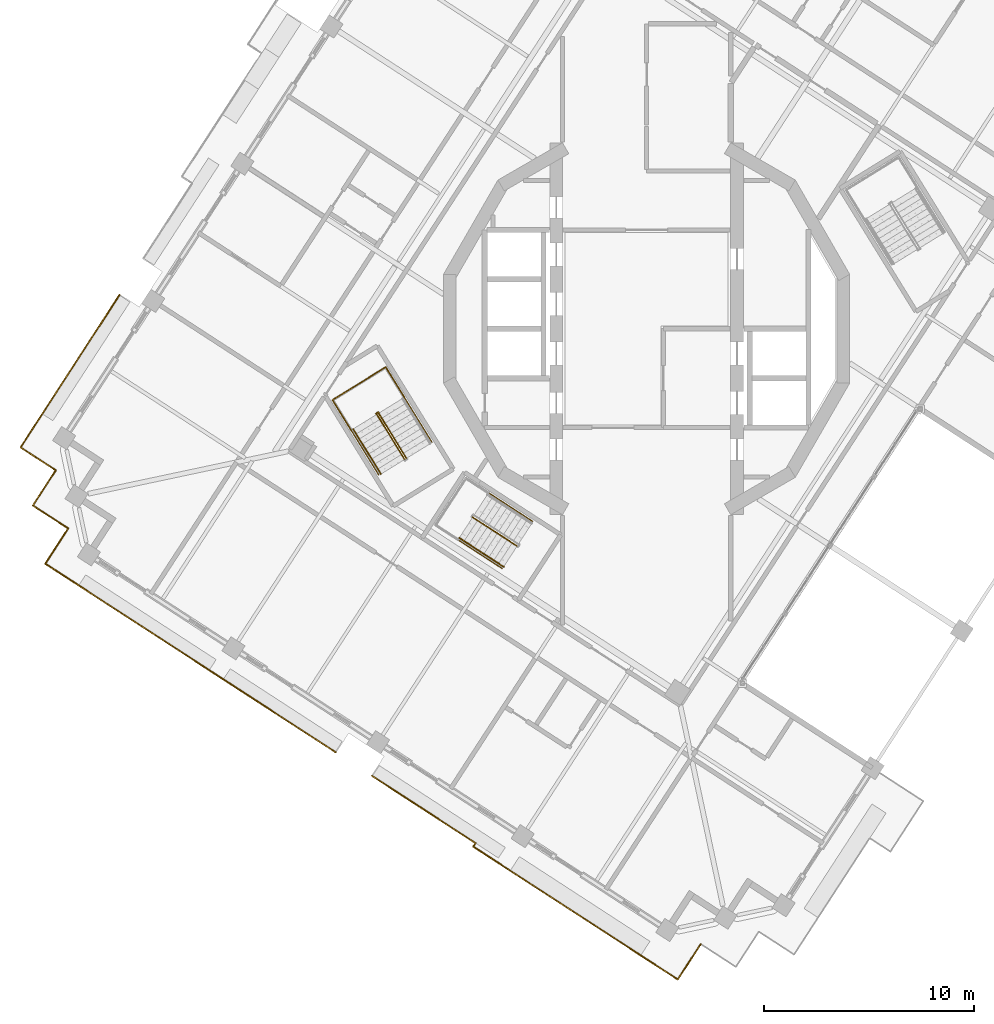
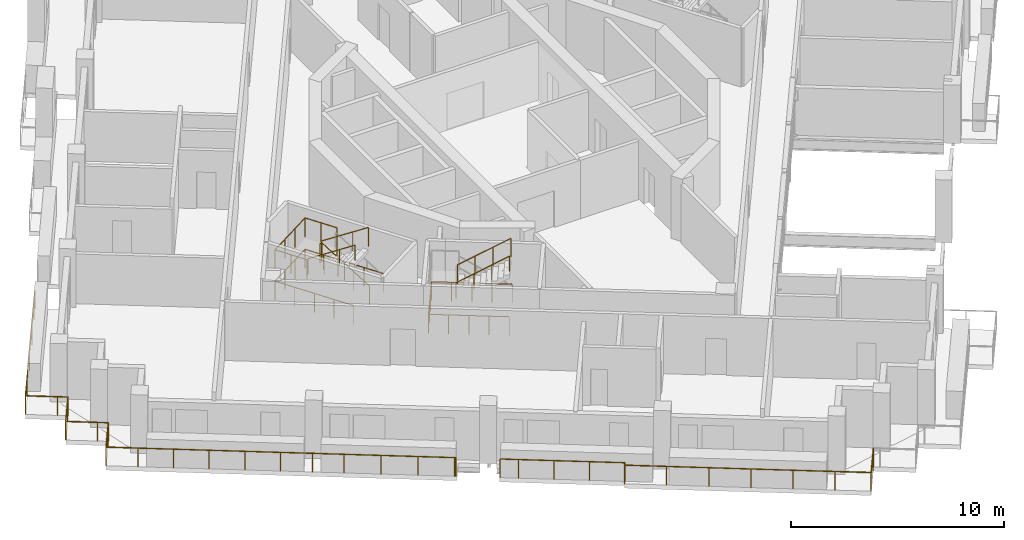
# One storey, part 12 of 17: 11 railings.
"""IFC4 building model written with IfcOpenShell, lengths in metres."""

from ifc_helpers import new_model, si_unit, direction, frame, origin, origin_2d, place, context, subcontext, project, spatial, circle, extrude, material, type_object, element, save


model = new_model("IFC4")

# Units and contexts
model_context = context("Model", 3, precision=1e-05, world=origin(), true_north=direction((0.0, 1.0)))
body_context = subcontext(model_context, "Body", "Model", "MODEL_VIEW")
ifc_project = project(units=[si_unit("LENGTHUNIT", "METRE"), si_unit("AREAUNIT", "SQUARE_METRE"), si_unit("VOLUMEUNIT", "CUBIC_METRE"), si_unit("PLANEANGLEUNIT", "RADIAN"), si_unit("MASSUNIT", "GRAM", prefix="KILO")], contexts=[model_context])

# Site, building, storey
site_placement = place(None, origin())
site = spatial("IfcSite", under=ifc_project, at=site_placement, CompositionType="ELEMENT")
building_placement = place(site_placement, origin())
building = spatial("IfcBuilding", under=site, at=building_placement, Name="Cantera Rosa Tower", CompositionType="ELEMENT")
storey_placement = place(building_placement, frame((0.0, 0.0, 257.699951171875)))
storey = spatial("IfcBuildingStorey", under=building, at=storey_placement, Name="L57", CompositionType="ELEMENT", Elevation=257.699951171875)

# Railings
ifc_material_1 = material(Name="Stainless steel and laminated glass", Category="steel")
railing_type_1 = type_object("IfcRailingType", Name="GUARD 1100", PredefinedType="BALUSTRADE", material=ifc_material_1)
railing_1_placement = place(storey_placement, frame((2.571533203125, -29.273193359375, 0.0)))
element("IfcRailing", 1, at=railing_1_placement, inside=storey, type_object=railing_type_1, Name="GUARD L57-1", PredefinedType="BALUSTRADE", context=body_context, shape_type="SweptSolid", body=[
    extrude(circle(Radius=0.030029296875, at=origin_2d()), frame((0.0, 0.0, 1.070068359375), z_axis=(-0.5443304008, -0.838870916629, 0.0), x_axis=(0.838870916629, -0.5443304008, 0.0)), (0.0, 0.0, 1.0), 0.300048828125),
    extrude(circle(Radius=0.030029296875, at=origin_2d()), frame((-0.163330078125, -0.251708984375, 1.070068359375), z_axis=(-0.544751065329, -0.83859780397, 0.0), x_axis=(0.83859780397, -0.544751065329, 0.0)), (0.0, 0.0, 1.0), 1.699951171875),
    extrude(circle(Radius=0.030029296875, at=origin_2d()), frame((-1.08935546875, -1.67724609375, 1.070068359375), z_axis=(-0.838663412569, 0.54465005317, 0.0), x_axis=(-0.54465005317, -0.838663412569, 0.0)), (0.0, 0.0, 1.0), 1.69970703125),
    extrude(circle(Radius=0.030029296875, at=origin_2d()), frame((-2.514892578125, -0.75146484375, 1.070068359375), z_axis=(-0.83867848478, 0.544626843964, 0.0), x_axis=(-0.544626843964, -0.83867848478, 0.0)), (0.0, 0.0, 1.0), 9.900146484375),
    extrude(circle(Radius=0.030029296875, at=origin_2d()), frame((-10.81787109375, 4.640380859375, 1.070068359375), z_axis=(0.544516215992, 0.838750314767, 0.0), x_axis=(-0.838750314767, 0.544516215992, 0.0)), (0.0, 0.0, 1.0), 0.199951171875),
    extrude(circle(Radius=0.030029296875, at=origin_2d()), frame((-10.708984375, 4.80810546875, 1.070068359375), z_axis=(-0.838653278808, 0.544665657027, 0.0), x_axis=(-0.544665657027, -0.838653278808, 0.0)), (0.0, 0.0, 1.0), 5.0),
    extrude(circle(Radius=0.030029296875, at=origin_2d()), frame((-14.90234375, 7.531494140625, 1.070068359375), z_axis=(-0.838725681888, 0.544554157584, 0.0), x_axis=(-0.544554157584, -0.838725681888, 0.0)), (0.0, 0.0, 1.0), 0.869873046875),
    extrude(circle(Radius=0.02490234375, at=origin_2d()), origin(), (0.0, 0.0, 1.0), 1.0400390625),
    extrude(circle(Radius=0.02490234375, at=origin_2d()), frame((-0.163330078125, -0.251708984375, 0.0)), (0.0, 0.0, 1.0), 1.0400390625),
    extrude(circle(Radius=0.02490234375, at=origin_2d()), frame((-1.08935546875, -1.67724609375, 0.0)), (0.0, 0.0, 1.0), 1.0400390625),
    extrude(circle(Radius=0.02490234375, at=origin_2d()), frame((-2.514892578125, -0.75146484375, 0.0)), (0.0, 0.0, 1.0), 1.0400390625),
    extrude(circle(Radius=0.02490234375, at=origin_2d()), frame((-4.175537109375, 0.326904296875, 0.0)), (0.0, 0.0, 1.0), 1.0400390625),
    extrude(circle(Radius=0.02490234375, at=origin_2d()), frame((-5.836181640625, 1.4052734375, 0.0)), (0.0, 0.0, 1.0), 1.0400390625),
    extrude(circle(Radius=0.02490234375, at=origin_2d()), frame((-7.49658203125, 2.483642578125, 0.0)), (0.0, 0.0, 1.0), 1.0400390625),
    extrude(circle(Radius=0.02490234375, at=origin_2d()), frame((-9.1572265625, 3.56201171875, 0.0)), (0.0, 0.0, 1.0), 1.0400390625),
    extrude(circle(Radius=0.02490234375, at=origin_2d()), frame((-10.81787109375, 4.640380859375, 0.0)), (0.0, 0.0, 1.0), 1.0400390625),
    extrude(circle(Radius=0.02490234375, at=origin_2d()), frame((-10.708984375, 4.80810546875, 0.0)), (0.0, 0.0, 1.0), 1.0400390625),
    extrude(circle(Radius=0.02490234375, at=origin_2d()), frame((-12.106689453125, 5.7158203125, 0.0)), (0.0, 0.0, 1.0), 1.0400390625),
    extrude(circle(Radius=0.02490234375, at=origin_2d()), frame((-13.504638671875, 6.623779296875, 0.0)), (0.0, 0.0, 1.0), 1.0400390625),
    extrude(circle(Radius=0.02490234375, at=origin_2d()), frame((-14.90234375, 7.531494140625, 0.0)), (0.0, 0.0, 1.0), 1.0400390625),
    extrude(circle(Radius=0.02490234375, at=origin_2d()), frame((-15.6318359375, 8.005126953125, 0.0)), (0.0, 0.0, 1.0), 1.0400390625),
])
railing_2_placement = place(storey_placement, frame((-28.3720703125, -7.151123046875, 0.0)))
element("IfcRailing", 2, at=railing_2_placement, inside=storey, type_object=railing_type_1, Name="GUARD L57-3", PredefinedType="BALUSTRADE", context=body_context, shape_type="SweptSolid", body=[
    extrude(circle(Radius=0.030029296875, at=origin_2d()), frame((0.0, 0.0, 1.070068359375), z_axis=(0.544627753175, 0.83867789435, 0.0), x_axis=(-0.83867789435, 0.544627753175, 0.0)), (0.0, 0.0, 1.0), 0.499755859375),
    extrude(circle(Radius=0.030029296875, at=origin_2d()), frame((0.272216796875, 0.419189453125, 1.070068359375), z_axis=(-0.838454772945, 0.544971186143, 0.0), x_axis=(-0.544971186143, -0.838454772945, 0.0)), (0.0, 0.0, 1.0), 0.5),
    extrude(circle(Radius=0.030029296875, at=origin_2d()), frame((-0.14697265625, 0.691650390625, 1.070068359375), z_axis=(-0.8387001057, 0.544593548161, 0.0), x_axis=(-0.544593548161, -0.8387001057, 0.0)), (0.0, 0.0, 1.0), 1.5),
    extrude(circle(Radius=0.030029296875, at=origin_2d()), frame((-1.405029296875, 1.508544921875, 1.070068359375), z_axis=(0.544593548161, 0.8387001057, 0.0), x_axis=(-0.8387001057, 0.544593548161, 0.0)), (0.0, 0.0, 1.0), 1.5),
    extrude(circle(Radius=0.030029296875, at=origin_2d()), frame((-0.588134765625, 2.7666015625, 1.070068359375), z_axis=(0.544645228423, 0.838666545867, 0.0), x_axis=(-0.838666545867, 0.544645228423, 0.0)), (0.0, 0.0, 1.0), 6.2783203125),
    extrude(circle(Radius=0.030029296875, at=origin_2d()), frame((2.831298828125, 8.031982421875, 1.070068359375), z_axis=(-0.832050294338, 0.554700196225, 0.0), x_axis=(-0.554700196225, -0.832050294338, 0.0)), (0.0, 0.0, 1.0), 0.001708984375),
    extrude(circle(Radius=0.030029296875, at=origin_2d()), frame((2.829833984375, 8.032958984375, 1.070068359375), z_axis=(0.544643812911, 0.838667465124, 0.0), x_axis=(-0.838667465124, 0.544643812911, 0.0)), (0.0, 0.0, 1.0), 0.871826171875),
    extrude(circle(Radius=0.02490234375, at=origin_2d()), origin(), (0.0, 0.0, 1.0), 1.0400390625),
    extrude(circle(Radius=0.02490234375, at=origin_2d()), frame((0.272216796875, 0.419189453125, 0.0)), (0.0, 0.0, 1.0), 1.0400390625),
    extrude(circle(Radius=0.02490234375, at=origin_2d()), frame((-0.14697265625, 0.691650390625, 0.0)), (0.0, 0.0, 1.0), 1.0400390625),
    extrude(circle(Radius=0.02490234375, at=origin_2d()), frame((-1.405029296875, 1.508544921875, 0.0)), (0.0, 0.0, 1.0), 1.0400390625),
    extrude(circle(Radius=0.02490234375, at=origin_2d()), frame((-0.588134765625, 2.7666015625, 0.0)), (0.0, 0.0, 1.0), 1.0400390625),
    extrude(circle(Radius=0.02490234375, at=origin_2d()), frame((0.5517578125, 4.521728515625, 0.0)), (0.0, 0.0, 1.0), 1.0400390625),
    extrude(circle(Radius=0.02490234375, at=origin_2d()), frame((1.69140625, 6.27685546875, 0.0)), (0.0, 0.0, 1.0), 1.0400390625),
    extrude(circle(Radius=0.02490234375, at=origin_2d()), frame((2.831298828125, 8.031982421875, 0.0)), (0.0, 0.0, 1.0), 1.0400390625),
    extrude(circle(Radius=0.02490234375, at=origin_2d()), frame((2.829833984375, 8.032958984375, 0.0)), (0.0, 0.0, 1.0), 1.0400390625),
    extrude(circle(Radius=0.02490234375, at=origin_2d()), frame((3.3046875, 8.76416015625, 0.0)), (0.0, 0.0, 1.0), 1.0400390625),
])
railing_3_placement = place(storey_placement, frame((-14.7880859375, -20.14599609375, 0.0)))
element("IfcRailing", 3, at=railing_3_placement, inside=storey, type_object=railing_type_1, Name="GUARD L57-4", PredefinedType="BALUSTRADE", context=body_context, shape_type="SweptSolid", body=[
    extrude(circle(Radius=0.030029296875, at=origin_2d()), frame((0.0, 0.0, 1.070068359375), z_axis=(-0.838443616301, 0.544988350595, 0.0), x_axis=(-0.544988350595, -0.838443616301, 0.0)), (0.0, 0.0, 1.0), 0.06982421875),
    extrude(circle(Radius=0.030029296875, at=origin_2d()), frame((-0.05859375, 0.0380859375, 1.070068359375), z_axis=(-0.838657010828, 0.544659910576, 0.0), x_axis=(-0.544659910576, -0.838657010828, 0.0)), (0.0, 0.0, 1.0), 5.2001953125),
    extrude(circle(Radius=0.030029296875, at=origin_2d()), frame((-4.419677734375, 2.870361328125, 1.070068359375), z_axis=(-0.8387001057, 0.544593548161, 0.0), x_axis=(-0.544593548161, -0.8387001057, 0.0)), (0.0, 0.0, 1.0), 3.0),
    extrude(circle(Radius=0.030029296875, at=origin_2d()), frame((-6.935791015625, 4.504150390625, 1.070068359375), z_axis=(-0.838666659313, 0.544645053734, 0.0), x_axis=(-0.544645053734, -0.838666659313, 0.0)), (0.0, 0.0, 1.0), 6.7001953125),
    extrude(circle(Radius=0.030029296875, at=origin_2d()), frame((-12.554931640625, 8.1533203125, 1.070068359375), z_axis=(-0.838651824232, 0.544667896716, 0.0), x_axis=(-0.544667896716, -0.838651824232, 0.0)), (0.0, 0.0, 1.0), 1.499755859375),
    extrude(circle(Radius=0.030029296875, at=origin_2d()), frame((-13.812744140625, 8.97021484375, 1.070068359375), z_axis=(0.544593548161, 0.8387001057, 0.0), x_axis=(-0.8387001057, 0.544593548161, 0.0)), (0.0, 0.0, 1.0), 1.5),
    extrude(circle(Radius=0.030029296875, at=origin_2d()), frame((-12.995849609375, 10.228271484375, 1.070068359375), z_axis=(0.544627753175, 0.83867789435, 0.0), x_axis=(-0.83867789435, 0.544627753175, 0.0)), (0.0, 0.0, 1.0), 0.499755859375),
    extrude(circle(Radius=0.030029296875, at=origin_2d()), frame((-12.7236328125, 10.6474609375, 1.070068359375), z_axis=(-0.838454772945, 0.544971186143, 0.0), x_axis=(-0.544971186143, -0.838454772945, 0.0)), (0.0, 0.0, 1.0), 0.5),
    extrude(circle(Radius=0.030029296875, at=origin_2d()), frame((-13.142822265625, 10.919921875, 1.070068359375), z_axis=(-0.8387001057, 0.544593548161, 0.0), x_axis=(-0.544593548161, -0.8387001057, 0.0)), (0.0, 0.0, 1.0), 1.5),
    extrude(circle(Radius=0.030029296875, at=origin_2d()), frame((-14.40087890625, 11.73681640625, 1.070068359375), z_axis=(0.544593548161, 0.8387001057, 0.0), x_axis=(-0.8387001057, 0.544593548161, 0.0)), (0.0, 0.0, 1.0), 1.5),
    extrude(circle(Radius=0.02490234375, at=origin_2d()), origin(), (0.0, 0.0, 1.0), 1.0400390625),
    extrude(circle(Radius=0.02490234375, at=origin_2d()), frame((-0.05859375, 0.0380859375, 0.0)), (0.0, 0.0, 1.0), 1.0400390625),
    extrude(circle(Radius=0.02490234375, at=origin_2d()), frame((-1.51220703125, 0.982177734375, 0.0)), (0.0, 0.0, 1.0), 1.0400390625),
    extrude(circle(Radius=0.02490234375, at=origin_2d()), frame((-2.966064453125, 1.92626953125, 0.0)), (0.0, 0.0, 1.0), 1.0400390625),
    extrude(circle(Radius=0.02490234375, at=origin_2d()), frame((-4.419677734375, 2.870361328125, 0.0)), (0.0, 0.0, 1.0), 1.0400390625),
    extrude(circle(Radius=0.02490234375, at=origin_2d()), frame((-5.677734375, 3.687255859375, 0.0)), (0.0, 0.0, 1.0), 1.0400390625),
    extrude(circle(Radius=0.02490234375, at=origin_2d()), frame((-6.935791015625, 4.504150390625, 0.0)), (0.0, 0.0, 1.0), 1.0400390625),
    extrude(circle(Radius=0.02490234375, at=origin_2d()), frame((-8.340576171875, 5.41650390625, 0.0)), (0.0, 0.0, 1.0), 1.0400390625),
    extrude(circle(Radius=0.02490234375, at=origin_2d()), frame((-9.745361328125, 6.32861328125, 0.0)), (0.0, 0.0, 1.0), 1.0400390625),
    extrude(circle(Radius=0.02490234375, at=origin_2d()), frame((-11.150146484375, 7.240966796875, 0.0)), (0.0, 0.0, 1.0), 1.0400390625),
    extrude(circle(Radius=0.02490234375, at=origin_2d()), frame((-12.554931640625, 8.1533203125, 0.0)), (0.0, 0.0, 1.0), 1.0400390625),
    extrude(circle(Radius=0.02490234375, at=origin_2d()), frame((-13.812744140625, 8.97021484375, 0.0)), (0.0, 0.0, 1.0), 1.0400390625),
    extrude(circle(Radius=0.02490234375, at=origin_2d()), frame((-12.995849609375, 10.228271484375, 0.0)), (0.0, 0.0, 1.0), 1.0400390625),
    extrude(circle(Radius=0.02490234375, at=origin_2d()), frame((-12.7236328125, 10.6474609375, 0.0)), (0.0, 0.0, 1.0), 1.0400390625),
    extrude(circle(Radius=0.02490234375, at=origin_2d()), frame((-13.142822265625, 10.919921875, 0.0)), (0.0, 0.0, 1.0), 1.0400390625),
    extrude(circle(Radius=0.02490234375, at=origin_2d()), frame((-14.40087890625, 11.73681640625, 0.0)), (0.0, 0.0, 1.0), 1.0400390625),
    extrude(circle(Radius=0.02490234375, at=origin_2d()), frame((-13.583984375, 12.994873046875, 0.0)), (0.0, 0.0, 1.0), 1.0400390625),
])
ifc_material_2 = material(Name="Steel S355J2 (EN 10025-2)", Category="steel")
railing_type_2 = type_object("IfcRailingType", Name="STAIR GUARD 1100", PredefinedType="GUARDRAIL", material=ifc_material_2)
railing_4_placement = place(storey_placement, frame((-11.42333984375, -6.165771484375, 0.179931640625)))
element("IfcRailing", 4, at=railing_4_placement, inside=storey, type_object=railing_type_2, Name="L57 ST-52 stair guard 1", PredefinedType="GUARDRAIL", context=body_context, shape_type="SweptSolid", body=[
    extrude(circle(Radius=0.02392578125, at=origin_2d()), frame((0.0, 0.0, 1.076171875), z_axis=(-0.441609067481, 0.715913574058, 0.540785711718), x_axis=(-0.851102330005, -0.524999832248, 0.0)), (0.0, 0.0, 1.0), 2.995849609375),
    extrude(circle(Radius=0.02392578125, at=origin_2d()), frame((-1.322998046875, 2.144775390625, 2.6962890625), z_axis=(-0.073711968402, 0.997279572494, 0.0), x_axis=(-0.997279572494, -0.073711968402, 0.0)), (0.0, 0.0, 1.0), 0.056396484375),
    extrude(circle(Radius=0.02392578125, at=origin_2d()), frame((-1.3271484375, 2.200927734375, 2.6962890625), z_axis=(-0.851546489876, -0.524279100842, 0.0), x_axis=(0.524279100842, -0.851546489876, 0.0)), (0.0, 0.0, 1.0), 0.14990234375),
    extrude(circle(Radius=0.02099609375, at=origin_2d()), origin(), (0.0, 0.0, 1.0), 1.052001953125),
    extrude(circle(Radius=0.02099609375, at=origin_2d()), frame((-0.44091796875, 0.71484375, 0.5400390625)), (0.0, 0.0, 1.0), 1.052001953125),
    extrude(circle(Radius=0.02099609375, at=origin_2d()), frame((-0.882080078125, 1.429931640625, 1.080078125)), (0.0, 0.0, 1.0), 1.052001953125),
    extrude(circle(Radius=0.02099609375, at=origin_2d()), frame((-1.322998046875, 2.144775390625, 1.6201171875)), (0.0, 0.0, 1.0), 1.052001953125),
    extrude(circle(Radius=0.02099609375, at=origin_2d()), frame((-1.3271484375, 2.200927734375, 1.6201171875)), (0.0, 0.0, 1.0), 1.052001953125),
    extrude(circle(Radius=0.02099609375, at=origin_2d()), frame((-1.454833984375, 2.122314453125, 1.6201171875)), (0.0, 0.0, 1.0), 1.052001953125),
])
railing_5_placement = place(storey_placement, frame((-12.82958984375, -4.072509765625, 1.97998046875)))
element("IfcRailing", 5, at=railing_5_placement, inside=storey, type_object=railing_type_2, Name="L57 ST-52 stair guard 2", PredefinedType="GUARDRAIL", context=body_context, shape_type="SweptSolid", body=[
    extrude(circle(Radius=0.02392578125, at=origin_2d()), frame((0.0, 0.0, 1.076171875), z_axis=(0.44154346381, -0.715939337315, 0.540805172729), x_axis=(0.851145618652, 0.524929648476, 0.0)), (0.0, 0.0, 1.0), 2.995849609375),
    extrude(circle(Radius=0.02099609375, at=origin_2d()), origin(), (0.0, 0.0, 1.0), 1.052001953125),
    extrude(circle(Radius=0.02099609375, at=origin_2d()), frame((0.44091796875, -0.71484375, 0.5400390625)), (0.0, 0.0, 1.0), 1.052001953125),
    extrude(circle(Radius=0.02099609375, at=origin_2d()), frame((0.8818359375, -1.429931640625, 1.080078125)), (0.0, 0.0, 1.0), 1.052001953125),
    extrude(circle(Radius=0.02099609375, at=origin_2d()), frame((1.32275390625, -2.144775390625, 1.6201171875)), (0.0, 0.0, 1.0), 1.052001953125),
])
railing_6_placement = place(storey_placement, frame((-10.20751953125, -5.40185546875, 0.0)))
element("IfcRailing", 6, at=railing_6_placement, inside=storey, type_object=railing_type_2, Name="L57 ST-52 stair guard 4", PredefinedType="GUARDRAIL", context=body_context, shape_type="SweptSolid", body=[
    extrude(circle(Radius=0.02392578125, at=origin_2d()), frame((0.0, 0.0, 1.076171875), z_axis=(-0.524976478809, 0.851116735059, 0.0), x_axis=(-0.851116735059, -0.524976478809, 0.0)), (0.0, 0.0, 1.0), 4.197998046875),
    extrude(circle(Radius=0.02392578125, at=origin_2d()), frame((-2.203857421875, 3.572998046875, 1.076171875), z_axis=(-0.851132917336, -0.524950242429, 0.0), x_axis=(0.524950242429, -0.851132917336, 0.0)), (0.0, 0.0, 1.0), 2.969970703125),
    extrude(circle(Radius=0.02392578125, at=origin_2d()), frame((-4.731689453125, 2.013916015625, 1.076171875), z_axis=(0.524976478809, -0.851116735059, 0.0), x_axis=(0.851116735059, 0.524976478809, 0.0)), (0.0, 0.0, 1.0), 4.197998046875),
    extrude(circle(Radius=0.02099609375, at=origin_2d()), origin(), (0.0, 0.0, 1.0), 1.052001953125),
    extrude(circle(Radius=0.02099609375, at=origin_2d()), frame((-0.551025390625, 0.893310546875, 0.0)), (0.0, 0.0, 1.0), 1.052001953125),
    extrude(circle(Radius=0.02099609375, at=origin_2d()), frame((-1.10205078125, 1.78662109375, 0.0)), (0.0, 0.0, 1.0), 1.052001953125),
    extrude(circle(Radius=0.02099609375, at=origin_2d()), frame((-1.65283203125, 2.6796875, 0.0)), (0.0, 0.0, 1.0), 1.052001953125),
    extrude(circle(Radius=0.02099609375, at=origin_2d()), frame((-2.203857421875, 3.572998046875, 0.0)), (0.0, 0.0, 1.0), 1.052001953125),
    extrude(circle(Radius=0.02099609375, at=origin_2d()), frame((-3.04638671875, 3.05322265625, 0.0)), (0.0, 0.0, 1.0), 1.052001953125),
    extrude(circle(Radius=0.02099609375, at=origin_2d()), frame((-3.88916015625, 2.53369140625, 0.0)), (0.0, 0.0, 1.0), 1.052001953125),
    extrude(circle(Radius=0.02099609375, at=origin_2d()), frame((-4.731689453125, 2.013916015625, 0.0)), (0.0, 0.0, 1.0), 1.052001953125),
    extrude(circle(Radius=0.02099609375, at=origin_2d()), frame((-4.1806640625, 1.12060546875, 0.0)), (0.0, 0.0, 1.0), 1.052001953125),
    extrude(circle(Radius=0.02099609375, at=origin_2d()), frame((-3.6298828125, 0.2275390625, 0.0)), (0.0, 0.0, 1.0), 1.052001953125),
    extrude(circle(Radius=0.02099609375, at=origin_2d()), frame((-3.078857421875, -0.665771484375, 0.0)), (0.0, 0.0, 1.0), 1.052001953125),
    extrude(circle(Radius=0.02099609375, at=origin_2d()), frame((-2.52783203125, -1.55908203125, 0.0)), (0.0, 0.0, 1.0), 1.052001953125),
])
railing_7_placement = place(storey_placement, frame((-11.517822265625, -3.27734375, 1.800048828125)))
element("IfcRailing", 7, at=railing_7_placement, inside=storey, type_object=railing_type_2, Name="L57 ST-52 stair guard 5", PredefinedType="GUARDRAIL", context=body_context, shape_type="SweptSolid", body=[
    extrude(circle(Radius=0.02392578125, at=origin_2d()), frame((0.0, 0.0, 1.076171875), z_axis=(-0.525025534833, 0.851086474909, 0.0), x_axis=(-0.851086474909, -0.525025534833, 0.0)), (0.0, 0.0, 1.0), 1.701904296875),
    extrude(circle(Radius=0.02392578125, at=origin_2d()), frame((-0.8935546875, 1.448486328125, 1.076171875), z_axis=(-0.851132917336, -0.524950242429, 0.0), x_axis=(0.524950242429, -0.851132917336, 0.0)), (0.0, 0.0, 1.0), 2.969970703125),
    extrude(circle(Radius=0.02392578125, at=origin_2d()), frame((-3.42138671875, -0.110595703125, 1.076171875), z_axis=(0.524961441845, -0.851126009811, 0.0), x_axis=(0.851126009811, 0.524961441845, 0.0)), (0.0, 0.0, 1.0), 1.7021484375),
    extrude(circle(Radius=0.02099609375, at=origin_2d()), origin(), (0.0, 0.0, 1.0), 1.052001953125),
    extrude(circle(Radius=0.02099609375, at=origin_2d()), frame((-0.44677734375, 0.72412109375, 0.0)), (0.0, 0.0, 1.0), 1.052001953125),
    extrude(circle(Radius=0.02099609375, at=origin_2d()), frame((-0.8935546875, 1.448486328125, 0.0)), (0.0, 0.0, 1.0), 1.052001953125),
    extrude(circle(Radius=0.02099609375, at=origin_2d()), frame((-1.736083984375, 0.9287109375, 0.0)), (0.0, 0.0, 1.0), 1.052001953125),
    extrude(circle(Radius=0.02099609375, at=origin_2d()), frame((-2.578857421875, 0.4091796875, 0.0)), (0.0, 0.0, 1.0), 1.052001953125),
    extrude(circle(Radius=0.02099609375, at=origin_2d()), frame((-3.42138671875, -0.110595703125, 0.0)), (0.0, 0.0, 1.0), 1.052001953125),
    extrude(circle(Radius=0.02099609375, at=origin_2d()), frame((-2.974609375, -0.8349609375, 0.0)), (0.0, 0.0, 1.0), 1.052001953125),
    extrude(circle(Radius=0.02099609375, at=origin_2d()), frame((-2.52783203125, -1.559326171875, 0.0)), (0.0, 0.0, 1.0), 1.052001953125),
])
railing_8_placement = place(storey_placement, frame((-8.270751953125, -8.963134765625, 1.97998046875)))
element("IfcRailing", 8, at=railing_8_placement, inside=storey, type_object=railing_type_2, Name="L57 ST-53 stair guard 2", PredefinedType="GUARDRAIL", context=body_context, shape_type="SweptSolid", body=[
    extrude(circle(Radius=0.02392578125, at=origin_2d()), frame((0.0, 0.0, 1.076171875), z_axis=(0.705447416084, -0.4581007308, 0.540821286175), x_axis=(0.54462048956, 0.838682611213, 0.0)), (0.0, 0.0, 1.0), 2.99560546875),
    extrude(circle(Radius=0.02099609375, at=origin_2d()), origin(), (0.0, 0.0, 1.0), 1.052001953125),
    extrude(circle(Radius=0.02099609375, at=origin_2d()), frame((0.704345703125, -0.45751953125, 0.5400390625)), (0.0, 0.0, 1.0), 1.052001953125),
    extrude(circle(Radius=0.02099609375, at=origin_2d()), frame((1.408935546875, -0.914794921875, 1.080078125)), (0.0, 0.0, 1.0), 1.052001953125),
    extrude(circle(Radius=0.02099609375, at=origin_2d()), frame((2.11328125, -1.372314453125, 1.6201171875)), (0.0, 0.0, 1.0), 1.052001953125),
])
railing_9_placement = place(storey_placement, frame((-5.41357421875, -9.168212890625, 0.0)))
element("IfcRailing", 9, at=railing_9_placement, inside=storey, type_object=railing_type_2, Name="L57 ST-53 stair guard 4", PredefinedType="GUARDRAIL", context=body_context, shape_type="SweptSolid", body=[
    extrude(circle(Radius=0.02392578125, at=origin_2d()), frame((0.0, 0.0, 1.076171875), z_axis=(-0.838665308336, 0.544647134018, 0.0), x_axis=(-0.544647134018, -0.838665308336, 0.0)), (0.0, 0.0, 1.0), 3.798095703125),
    extrude(circle(Radius=0.02392578125, at=origin_2d()), frame((-3.185302734375, 2.068603515625, 1.076171875), z_axis=(-0.544679779991, -0.838644106442, 0.0), x_axis=(0.838644106442, -0.544679779991, 0.0)), (0.0, 0.0, 1.0), 2.670166015625),
    extrude(circle(Radius=0.02392578125, at=origin_2d()), frame((-4.6396484375, -0.170654296875, 1.076171875), z_axis=(0.838665308336, -0.544647134018, 0.0), x_axis=(0.544647134018, 0.838665308336, 0.0)), (0.0, 0.0, 1.0), 3.798095703125),
    extrude(circle(Radius=0.02099609375, at=origin_2d()), origin(), (0.0, 0.0, 1.0), 1.052001953125),
    extrude(circle(Radius=0.02099609375, at=origin_2d()), frame((-0.79638671875, 0.51708984375, 0.0)), (0.0, 0.0, 1.0), 1.052001953125),
    extrude(circle(Radius=0.02099609375, at=origin_2d()), frame((-1.5927734375, 1.0341796875, 0.0)), (0.0, 0.0, 1.0), 1.052001953125),
    extrude(circle(Radius=0.02099609375, at=origin_2d()), frame((-2.388916015625, 1.551513671875, 0.0)), (0.0, 0.0, 1.0), 1.052001953125),
    extrude(circle(Radius=0.02099609375, at=origin_2d()), frame((-3.185302734375, 2.068603515625, 0.0)), (0.0, 0.0, 1.0), 1.052001953125),
    extrude(circle(Radius=0.02099609375, at=origin_2d()), frame((-3.670166015625, 1.322265625, 0.0)), (0.0, 0.0, 1.0), 1.052001953125),
    extrude(circle(Radius=0.02099609375, at=origin_2d()), frame((-4.15478515625, 0.57568359375, 0.0)), (0.0, 0.0, 1.0), 1.052001953125),
    extrude(circle(Radius=0.02099609375, at=origin_2d()), frame((-4.6396484375, -0.170654296875, 0.0)), (0.0, 0.0, 1.0), 1.052001953125),
    extrude(circle(Radius=0.02099609375, at=origin_2d()), frame((-3.84326171875, -0.687744140625, 0.0)), (0.0, 0.0, 1.0), 1.052001953125),
    extrude(circle(Radius=0.02099609375, at=origin_2d()), frame((-3.046875, -1.205078125, 0.0)), (0.0, 0.0, 1.0), 1.052001953125),
    extrude(circle(Radius=0.02099609375, at=origin_2d()), frame((-2.250732421875, -1.72216796875, 0.0)), (0.0, 0.0, 1.0), 1.052001953125),
    extrude(circle(Radius=0.02099609375, at=origin_2d()), frame((-1.454345703125, -2.2392578125, 0.0)), (0.0, 0.0, 1.0), 1.052001953125),
])
ifc_material_3 = material(Name="Steel S355J2 (EN 10025-2)", Category="steel")
railing_type_3 = type_object("IfcRailingType", Name="STAIR HANDRAIL 900", PredefinedType="HANDRAIL", material=ifc_material_3)
railing_10_placement = place(storey_placement, frame((-13.958251953125, -4.7685546875, 1.97998046875)))
element("IfcRailing", 10, at=railing_10_placement, inside=storey, type_object=railing_type_3, Name="L57 ST-52 stair handrail 2", PredefinedType="HANDRAIL", context=body_context, shape_type="SweptSolid", body=[
    extrude(circle(Radius=0.02392578125, at=origin_2d()), frame((0.0, 0.0, 0.8759765625), z_axis=(0.441609067481, -0.715913574058, 0.540785711718), x_axis=(0.851102330005, 0.524999832248, 0.0)), (0.0, 0.0, 1.0), 2.995849609375),
    extrude(circle(Radius=0.02099609375, at=origin_2d()), origin(), (0.0, 0.0, 1.0), 0.851806640625),
    extrude(circle(Radius=0.02099609375, at=origin_2d()), frame((0.44091796875, -0.71484375, 0.5400390625)), (0.0, 0.0, 1.0), 0.851806640625),
    extrude(circle(Radius=0.02099609375, at=origin_2d()), frame((0.882080078125, -1.429931640625, 1.080078125)), (0.0, 0.0, 1.0), 0.851806640625),
    extrude(circle(Radius=0.02099609375, at=origin_2d()), frame((1.322998046875, -2.144775390625, 1.6201171875)), (0.0, 0.0, 1.0), 0.851806640625),
])
railing_11_placement = place(storey_placement, frame((-8.911376953125, -9.94921875, 1.97998046875)))
element("IfcRailing", 11, at=railing_11_placement, inside=storey, type_object=railing_type_3, Name="L57 ST-53 stair handrail 2", PredefinedType="HANDRAIL", context=body_context, shape_type="SweptSolid", body=[
    extrude(circle(Radius=0.02392578125, at=origin_2d()), frame((0.0, 0.0, 0.8759765625), z_axis=(0.705462015847, -0.458138784, 0.540770005448), x_axis=(0.544644381691, 0.838667095749, 0.0)), (0.0, 0.0, 1.0), 2.995849609375),
    extrude(circle(Radius=0.02099609375, at=origin_2d()), origin(), (0.0, 0.0, 1.0), 0.851806640625),
    extrude(circle(Radius=0.02099609375, at=origin_2d()), frame((0.70458984375, -0.45751953125, 0.5400390625)), (0.0, 0.0, 1.0), 0.851806640625),
    extrude(circle(Radius=0.02099609375, at=origin_2d()), frame((1.408935546875, -0.9150390625, 1.080078125)), (0.0, 0.0, 1.0), 0.851806640625),
    extrude(circle(Radius=0.02099609375, at=origin_2d()), frame((2.113525390625, -1.37255859375, 1.6201171875)), (0.0, 0.0, 1.0), 0.851806640625),
])

save(model, "model.ifc")
